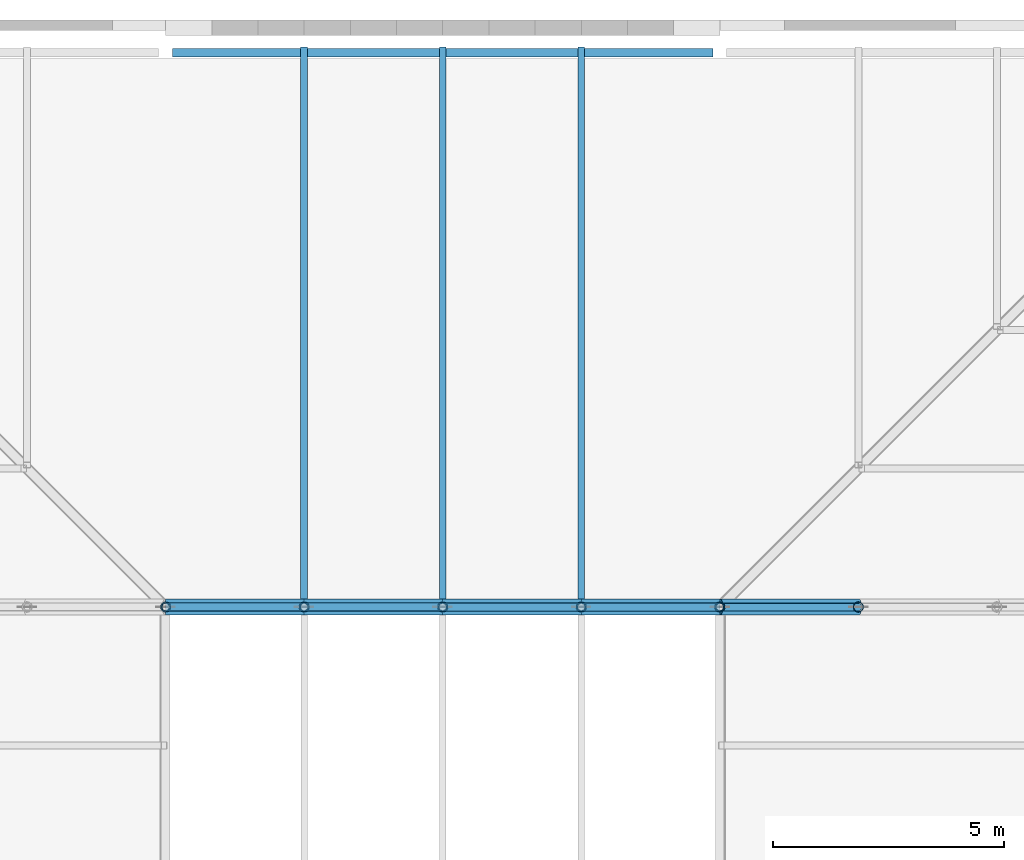
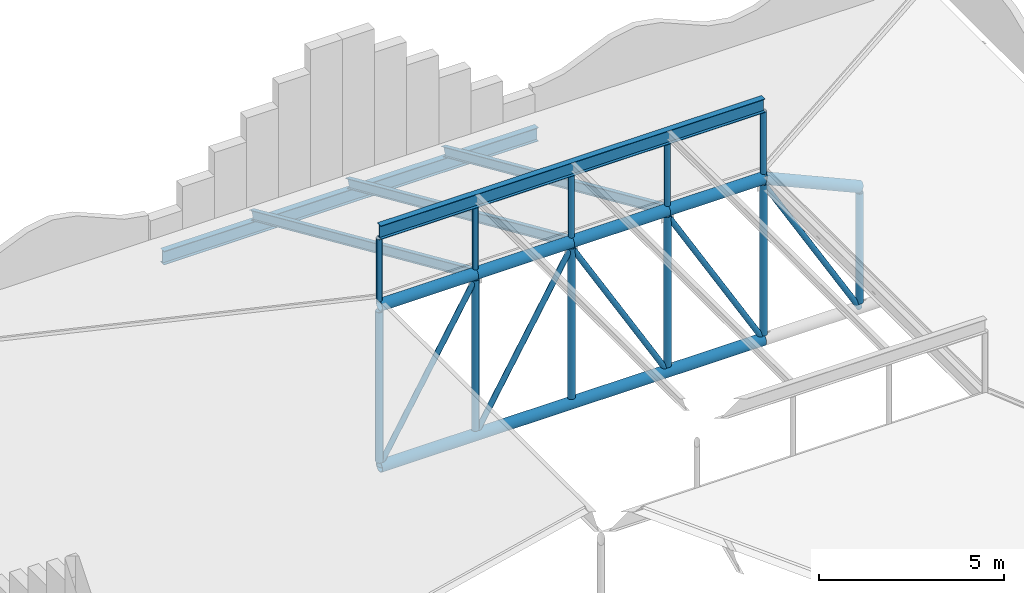
# One storey, part 231 of 321: 25 members, 2 beams.
"""IFC4 building model written with IfcOpenShell, lengths in metres."""

from ifc_helpers import new_model, si_unit, direction, frame, origin, origin_2d, place, context, subcontext, project, spatial, hollow_circle, i_section, extrude, material, material_profile, profile_set, type_object, element, save


model = new_model("IFC4")

# Units and contexts
model_context = context("Model", 3, precision=1e-05, world=origin(), true_north=direction((0.0, 1.0)))
body_context = subcontext(model_context, "Body", "Model", "MODEL_VIEW")
ifc_project = project(units=[si_unit("LENGTHUNIT", "METRE"), si_unit("AREAUNIT", "SQUARE_METRE"), si_unit("VOLUMEUNIT", "CUBIC_METRE"), si_unit("PLANEANGLEUNIT", "RADIAN"), si_unit("MASSUNIT", "GRAM", prefix="KILO")], contexts=[model_context])

# Site, building, storey
site_placement = place(None, origin())
site = spatial("IfcSite", under=ifc_project, at=site_placement, CompositionType="ELEMENT")
building_placement = place(site_placement, origin())
building = spatial("IfcBuilding", under=site, at=building_placement, Name="Ravi Spectrum Wholesale Market", CompositionType="ELEMENT")
storey_placement = place(building_placement, frame((0.0, 0.0, 10.800048828125)))
storey = spatial("IfcBuildingStorey", under=building, at=storey_placement, Name="L02", CompositionType="ELEMENT", Elevation=10.800048828125)

# Members
ifc_material_1 = material(Name="Steel S355", Category="steel")
ifc_material_profile_1 = material_profile(ifc_material_1, hollow_circle(Radius=0.084228515625, WallThickness=0.00634765625, at=origin_2d()))
ifc_profile_set_1 = profile_set([ifc_material_profile_1], Name="Steel S355")
member_type_1 = type_object("IfcMemberType", Name="CHS 168.3x6.3 brace", PredefinedType="BRACE", material=ifc_profile_set_1)
for number, where, z_axis, x_axis, name in (
    (1, (174.0, 222.0, 0.177734375), (0.503588158255, 0.0, 0.863943844741), (0.0, 1.0, 0.0), "AU-MB-L02-030"),
    (2, (177.0, 222.0, 0.177734375), (0.503588158255, 0.0, 0.863943844741), (0.0, 1.0, 0.0), "AU-MB-L02-031"),
    (3, (183.0, 222.0, 0.177734375), (-0.503588158255, 0.0, 0.863943844741), (0.0, -1.0, 0.0), "AU-MB-L02-032"),
    (4, (186.0, 222.0, 0.177734375), (-0.503588158255, 0.0, 0.863943844741), (0.0, -1.0, 0.0), "AU-MB-L02-033"),
    (5, (189.0, 222.0, 0.177734375), (-0.503588158255, 0.0, 0.863943844741), (0.0, -1.0, 0.0), "AU-MB-L02-034"),
):
    element("IfcMember", number, at=place(storey_placement, frame(where, z_axis=z_axis, x_axis=x_axis)), inside=storey, type_object=member_type_1, Name=name, PredefinedType="BRACE", context=body_context, shape_type="SweptSolid", body=[
        extrude(hollow_circle(Radius=0.084228515625, WallThickness=0.00634765625, at=origin_2d()), origin(), (0.0, 0.0, 1.0), 5.957275390625),
    ])
ifc_material_2 = material(Name="Steel S355", Category="steel")
ifc_material_profile_2 = material_profile(ifc_material_2, hollow_circle(Radius=0.084228515625, WallThickness=0.00634765625, at=origin_2d()))
ifc_profile_set_2 = profile_set([ifc_material_profile_2], Name="Steel S355")
member_type_2 = type_object("IfcMemberType", Name="CHS 168.3x6.3 post", PredefinedType="POST", material=ifc_profile_set_2)
for number, where, z_axis, x_axis, name in (
    (6, (174.0, 222.0, 5.668701171875), (0.0, 0.0, 1.0), (1.0, 0.0, 0.0), "AU-MB-L02-076"),
    (7, (177.0, 222.0, 5.668701171875), (0.0, 0.0, 1.0), (1.0, 0.0, 0.0), "AU-MB-L02-078"),
    (8, (180.0, 222.0, 5.668701171875), (0.0, 0.0, 1.0), (1.0, 0.0, 0.0), "AU-MB-L02-080"),
    (9, (183.0, 222.0, 5.668701171875), (0.0, 0.0, 1.0), (1.0, 0.0, 0.0), "AU-MB-L02-082"),
    (10, (186.0, 222.0, 5.668701171875), (0.0, 0.0, 1.0), (1.0, 0.0, 0.0), "AU-MB-L02-084"),
):
    element("IfcMember", number, at=place(storey_placement, frame(where, z_axis=z_axis, x_axis=x_axis)), inside=storey, type_object=member_type_2, Name=name, PredefinedType="POST", context=body_context, shape_type="SweptSolid", body=[
        extrude(hollow_circle(Radius=0.084228515625, WallThickness=0.00634765625, at=origin_2d()), origin(), (0.0, 0.0, 1.0), 2.05126953125),
    ])
ifc_material_3 = material(Name="Steel S355", Category="steel")
ifc_material_profile_3 = material_profile(ifc_material_3, hollow_circle(Radius=0.109619140625, WallThickness=0.008056640625, at=origin_2d()))
ifc_profile_set_3 = profile_set([ifc_material_profile_3], Name="Steel S355")
member_type_3 = type_object("IfcMemberType", Name="CHS 219.1x8 post", PredefinedType="POST", material=ifc_profile_set_3)
for number, where, z_axis, x_axis, name in (
    (11, (174.0, 222.0, 0.35546875), (0.0, 0.0, 1.0), (1.0, 0.0, 0.0), "AU-MB-L02-019"),
    (12, (177.0, 222.0, 0.35546875), (0.0, 0.0, 1.0), (1.0, 0.0, 0.0), "AU-MB-L02-020"),
    (13, (180.0, 222.0, 0.35546875), (0.0, 0.0, 1.0), (1.0, 0.0, 0.0), "AU-MB-L02-021"),
    (14, (183.0, 222.0, 0.35546875), (0.0, 0.0, 1.0), (1.0, 0.0, 0.0), "AU-MB-L02-022"),
    (15, (186.0, 222.0, 0.35546875), (0.0, 0.0, 1.0), (1.0, 0.0, 0.0), "AU-MB-L02-023"),
):
    element("IfcMember", number, at=place(storey_placement, frame(where, z_axis=z_axis, x_axis=x_axis)), inside=storey, type_object=member_type_3, Name=name, PredefinedType="POST", context=body_context, shape_type="SweptSolid", body=[
        extrude(hollow_circle(Radius=0.109619140625, WallThickness=0.008056640625, at=origin_2d()), origin(), (0.0, 0.0, 1.0), 4.968994140625),
    ])
member_1_placement = place(storey_placement, frame((189.0, 222.0, 0.35546875), z_axis=(0.0, 0.0, 1.0), x_axis=(1.0, 0.0, 0.0)))
element("IfcMember", 16, at=member_1_placement, inside=storey, type_object=member_type_3, Name="AU-MB-L02-024", PredefinedType="POST", context=body_context, shape_type="SweptSolid", body=[
    extrude(hollow_circle(Radius=0.109619140625, WallThickness=0.008056640625, at=origin_2d()), origin(), (0.0, 0.0, 1.0), 3.6337890625),
])
ifc_material_4 = material(Name="Steel S355", Category="steel")
ifc_material_profile_4 = material_profile(ifc_material_4, hollow_circle(Radius=0.177734375, WallThickness=0.012451171875, at=origin_2d()))
ifc_profile_set_4 = profile_set([ifc_material_profile_4], Name="Steel S355")
member_type_4 = type_object("IfcMemberType", Name="CHS 355.6x12.5 chord", PredefinedType="CHORD", material=ifc_profile_set_4)
member_2_placement = place(storey_placement, frame((174.0, 222.0, 0.177734375), z_axis=(1.0, 0.0, 0.0), x_axis=(0.0, 1.0, 0.0)))
element("IfcMember", 17, at=member_2_placement, inside=storey, type_object=member_type_4, Name="AU-MB-L02-002", PredefinedType="CHORD", context=body_context, shape_type="SweptSolid", body=[
    extrude(hollow_circle(Radius=0.177734375, WallThickness=0.012451171875, at=origin_2d()), origin(), (0.0, 0.0, 1.0), 12.0),
])
for number, where, z_axis, x_axis, name in (
    (18, (174.0, 222.0, 5.502197265625), (1.0, 0.0, 0.0), (0.0, 1.0, 0.0), "AU-MB-L02-008"),
    (19, (177.0, 222.0, 5.502197265625), (1.0, 0.0, 0.0), (0.0, 1.0, 0.0), "AU-MB-L02-009"),
    (20, (180.0, 222.0, 5.502197265625), (1.0, 0.0, 0.0), (0.0, 1.0, 0.0), "AU-MB-L02-010"),
    (21, (183.0, 222.0, 5.502197265625), (1.0, 0.0, 0.0), (0.0, 1.0, 0.0), "AU-MB-L02-011"),
):
    element("IfcMember", number, at=place(storey_placement, frame(where, z_axis=z_axis, x_axis=x_axis)), inside=storey, type_object=member_type_4, Name=name, PredefinedType="CHORD", context=body_context, shape_type="SweptSolid", body=[
        extrude(hollow_circle(Radius=0.177734375, WallThickness=0.012451171875, at=origin_2d()), origin(), (0.0, 0.0, 1.0), 3.0),
    ])
member_3_placement = place(storey_placement, frame((186.0, 222.0, 5.502197265625), z_axis=(0.91359987507, 0.0, -0.406614397522), x_axis=(0.0, 1.0, 0.0)))
element("IfcMember", 22, at=member_3_placement, inside=storey, type_object=member_type_4, Name="AU-MB-L02-012", PredefinedType="CHORD", context=body_context, shape_type="SweptSolid", body=[
    extrude(hollow_circle(Radius=0.177734375, WallThickness=0.012451171875, at=origin_2d()), origin(), (0.0, 0.0, 1.0), 3.28369140625),
])
ifc_material_5 = material(Name="Steel S355", Category="steel")
ifc_material_profile_5 = material_profile(ifc_material_5, i_section(OverallWidth=0.14990234375, OverallDepth=0.300048828125, WebThickness=0.007080078125, FlangeThickness=0.0107421875, at=origin_2d()))
ifc_profile_set_5 = profile_set([ifc_material_profile_5], Name="Steel S355")
member_type_5 = type_object("IfcMemberType", Name="IPE 300 rafter", PredefinedType="RAFTER", material=ifc_profile_set_5)
for number, where, z_axis, x_axis, name in (
    (23, (177.0, 234.06103515625, 0.136962890625), (0.0, -0.913616426718, 0.406577206482), (1.0, 0.0, 0.0), "AU-MB-L02-062"),
    (24, (180.0, 234.06103515625, 0.136962890625), (0.0, -0.913616426718, 0.406577206482), (1.0, 0.0, 0.0), "AU-MB-L02-064"),
    (25, (183.0, 234.06103515625, 0.136962890625), (0.0, -0.913616426718, 0.406577206482), (1.0, 0.0, 0.0), "AU-MB-L02-066"),
):
    element("IfcMember", number, at=place(storey_placement, frame(where, z_axis=z_axis, x_axis=x_axis)), inside=storey, type_object=member_type_5, Name=name, PredefinedType="RAFTER", context=body_context, shape_type="SweptSolid", body=[
        extrude(i_section(OverallWidth=0.14990234375, OverallDepth=0.300048828125, WebThickness=0.007080078125, FlangeThickness=0.0107421875, at=origin_2d()), origin(), (0.0, 0.0, 1.0), 13.164306640625),
    ])

# Beams
ifc_material_6 = material(Name="Steel S355", Category="steel")
ifc_material_profile_6 = material_profile(ifc_material_6, i_section(OverallWidth=0.18994140625, OverallDepth=0.449951171875, WebThickness=0.009521484375, FlangeThickness=0.0146484375, at=origin_2d()))
ifc_profile_set_6 = profile_set([ifc_material_profile_6], Name="Steel S355")
beam_type = type_object("IfcBeamType", Name="IPE 450 girder", PredefinedType="BEAM", material=ifc_profile_set_6)
beam_1_placement = place(storey_placement, frame((174.14990234375, 234.0, -0.22509765625), z_axis=(1.0, 0.0, 0.0), x_axis=(0.0, 1.0, 0.0)))
element("IfcBeam", 26, at=beam_1_placement, inside=storey, type_object=beam_type, Name="AU-BM-L02-005", PredefinedType="BEAM", context=body_context, shape_type="SweptSolid", body=[
    extrude(i_section(OverallWidth=0.18994140625, OverallDepth=0.449951171875, WebThickness=0.009521484375, FlangeThickness=0.0146484375, at=origin_2d()), origin(), (0.0, 0.0, 1.0), 11.7001953125),
])
beam_2_placement = place(storey_placement, frame((174.0, 222.0, 7.945068359375), z_axis=(1.0, 0.0, 0.0), x_axis=(0.0, 1.0, 0.0)))
element("IfcBeam", 27, at=beam_2_placement, inside=storey, type_object=beam_type, Name="AU-BM-L02-024", PredefinedType="BEAM", context=body_context, shape_type="SweptSolid", body=[
    extrude(i_section(OverallWidth=0.18994140625, OverallDepth=0.449951171875, WebThickness=0.009521484375, FlangeThickness=0.0146484375, at=origin_2d()), origin(), (0.0, 0.0, 1.0), 12.0),
])

save(model, "model.ifc")
